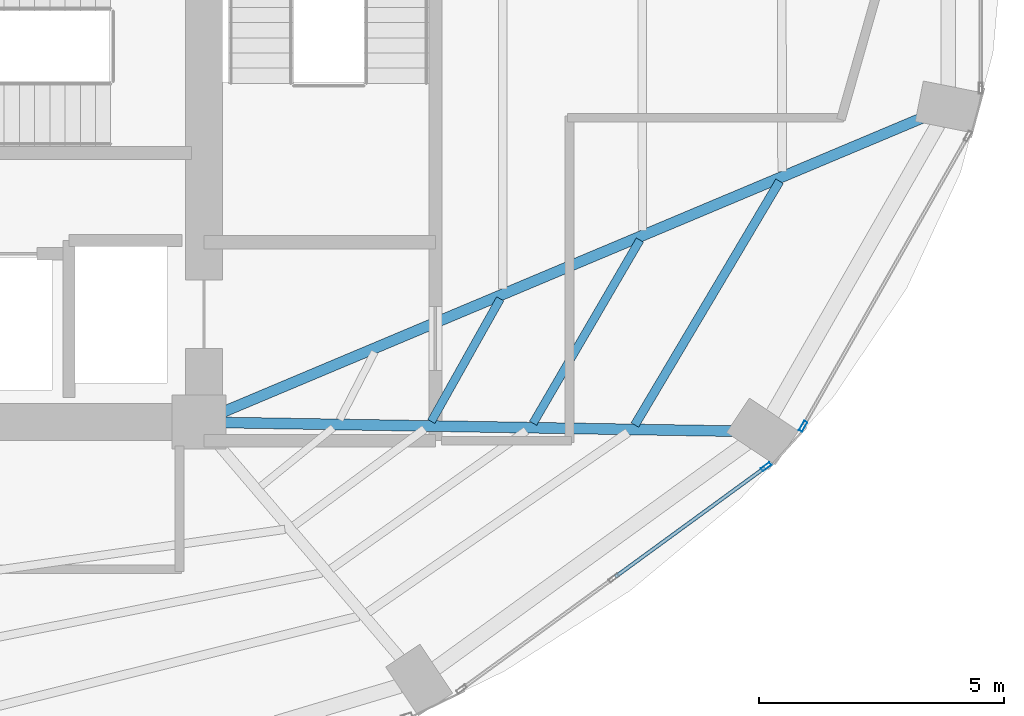
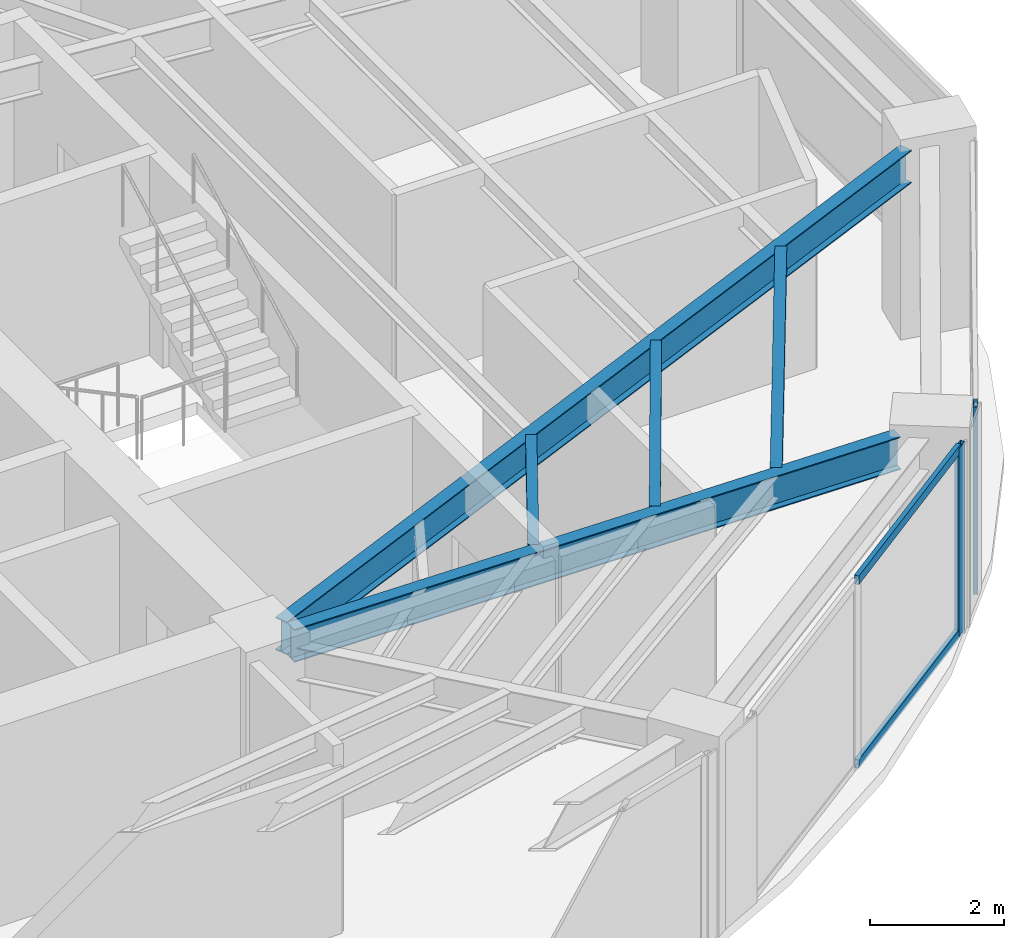
# One storey, part 11 of 23: 5 beams, 4 members, 2 elements without a shape of their own.
"""IFC4 building model written with IfcOpenShell, lengths in metres."""

from ifc_helpers import new_model, si_unit, direction, frame, origin, origin_2d, place, context, subcontext, project, spatial, hollow_rectangle, i_section, extrude, material, layer, layer_set, material_profile, profile_set, type_object, element, aggregate, save


model = new_model("IFC4")

# Units and contexts
model_context = context("Model", 3, precision=1e-05, world=origin(), true_north=direction((0.0, 1.0)))
body_context = subcontext(model_context, "Body", "Model", "MODEL_VIEW")
ifc_project = project(units=[si_unit("LENGTHUNIT", "METRE"), si_unit("AREAUNIT", "SQUARE_METRE"), si_unit("VOLUMEUNIT", "CUBIC_METRE"), si_unit("PLANEANGLEUNIT", "RADIAN"), si_unit("MASSUNIT", "GRAM", prefix="KILO")], contexts=[model_context])

# Site, building, storey
site_placement = place(None, origin())
site = spatial("IfcSite", under=ifc_project, at=site_placement, CompositionType="ELEMENT")
building_placement = place(site_placement, origin())
building = spatial("IfcBuilding", under=site, at=building_placement, Name="Lazwardi Medical Tower", CompositionType="ELEMENT")
storey_placement = place(building_placement, frame((0.0, 0.0, 121.8720703125)))
storey = spatial("IfcBuildingStorey", under=building, at=storey_placement, Name="L31", CompositionType="ELEMENT", Elevation=121.8720703125)

# Beams
ifc_material_1 = material(Name="Steel S355", Category="steel")
ifc_material_profile_1 = material_profile(ifc_material_1, i_section(OverallWidth=0.219970703125, OverallDepth=0.60009765625, WebThickness=0.011962890625, FlangeThickness=0.01904296875, at=origin_2d()), Name="IPE 600")
ifc_profile_set_1 = profile_set([ifc_material_profile_1], Name="Steel S355")
beam_type_1 = type_object("IfcBeamType", Name="BM-RG-W1", PredefinedType="BEAM", material=ifc_profile_set_1)
beam_1_placement = place(storey_placement, frame((56.497802734375, 20.215087890625, 3.1279296875), z_axis=(-0.99985616395, 0.016960289263, 0.0), x_axis=(-0.016960289263, -0.99985616395, 0.0)))
element("IfcBeam", 1, at=beam_1_placement, inside=storey, type_object=beam_type_1, Name="Radial girder RG-02 R03 L31", PredefinedType="BEAM", context=body_context, shape_type="SweptSolid", body=[
    extrude(i_section(OverallWidth=0.219970703125, OverallDepth=0.60009765625, WebThickness=0.011962890625, FlangeThickness=0.01904296875, at=origin_2d()), origin(), (0.0, 0.0, 1.0), 10.3642578125),
])
beam_2_placement = place(storey_placement, frame((60.328369140625, 26.59521484375, 3.1279296875), z_axis=(-0.921775176005, -0.38772480563, 0.0), x_axis=(0.38772480563, -0.921775176005, 0.0)))
element("IfcBeam", 2, at=beam_2_placement, inside=storey, type_object=beam_type_1, Name="Radial girder RG-02 R04 L31", PredefinedType="BEAM", context=body_context, shape_type="SweptSolid", body=[
    extrude(i_section(OverallWidth=0.219970703125, OverallDepth=0.60009765625, WebThickness=0.011962890625, FlangeThickness=0.01904296875, at=origin_2d()), origin(), (0.0, 0.0, 1.0), 15.443359375),
])
ifc_material_profile_2 = material_profile(ifc_material_1, i_section(OverallWidth=0.179931640625, OverallDepth=0.39990234375, WebThickness=0.008544921875, FlangeThickness=0.013427734375, at=origin_2d()), Name="IPE 400")
ifc_profile_set_2 = profile_set([ifc_material_profile_2], Name="Steel S355")
beam_type_2 = type_object("IfcBeamType", Name="BM-SJ-01", PredefinedType="JOIST", material=ifc_profile_set_2)
beam_3_placement = place(storey_placement, frame((54.47900390625, 20.340576171875, 3.22802734375), z_axis=(0.510499691073, 0.859877936346, 0.0), x_axis=(-0.859877936346, 0.510499691073, 0.0)))
element("IfcBeam", 3, at=beam_3_placement, inside=storey, type_object=beam_type_2, Name="Secondary joist SJ-01 R1 B03 L31", PredefinedType="JOIST", context=body_context, shape_type="SweptSolid", body=[
    extrude(i_section(OverallWidth=0.179931640625, OverallDepth=0.39990234375, WebThickness=0.008544921875, FlangeThickness=0.013427734375, at=origin_2d()), origin(), (0.0, 0.0, 1.0), 5.776123046875),
])
ifc_material_profile_3 = material_profile(ifc_material_1, i_section(OverallWidth=0.169921875, OverallDepth=0.360107421875, WebThickness=0.008056640625, FlangeThickness=0.0126953125, at=origin_2d()), Name="IPE 360")
ifc_profile_set_3 = profile_set([ifc_material_profile_3], Name="Steel S355")
beam_type_3 = type_object("IfcBeamType", Name="BM-SJ-02", PredefinedType="JOIST", material=ifc_profile_set_3)
beam_4_placement = place(storey_placement, frame((52.405517578125, 20.376220703125, 3.248046875), z_axis=(0.503544274258, 0.86396942299, 0.0), x_axis=(-0.86396942299, 0.503544274258, 0.0)))
element("IfcBeam", 4, at=beam_4_placement, inside=storey, type_object=beam_type_3, Name="Secondary joist SJ-02 R2 B03 L31", PredefinedType="JOIST", context=body_context, shape_type="SweptSolid", body=[
    extrude(i_section(OverallWidth=0.169921875, OverallDepth=0.360107421875, WebThickness=0.008056640625, FlangeThickness=0.0126953125, at=origin_2d()), origin(), (0.0, 0.0, 1.0), 4.321044921875),
])
beam_5_placement = place(storey_placement, frame((50.33154296875, 20.412109375, 3.248046875), z_axis=(0.489860824278, 0.871800649711, 0.0), x_axis=(-0.871800649711, 0.489860824278, 0.0)))
element("IfcBeam", 5, at=beam_5_placement, inside=storey, type_object=beam_type_3, Name="Secondary joist SJ-02 R3 B03 L31", PredefinedType="JOIST", context=body_context, shape_type="SweptSolid", body=[
    extrude(i_section(OverallWidth=0.169921875, OverallDepth=0.360107421875, WebThickness=0.008056640625, FlangeThickness=0.0126953125, at=origin_2d()), origin(), (0.0, 0.0, 1.0), 2.8662109375),
])

# Curtain wall, member
ifc_material_2 = material(Name="Anodised bronze aluminium and solar control glazing", Category="aluminium")
ifc_layer = layer(ifc_material_2, 0.195068359375)
ifc_layer_set = layer_set([ifc_layer], Name="Anodised bronze aluminium and solar control glazing")
curtain_wall_type = type_object("IfcCurtainWallType", Name="CW-SYS-03", PredefinedType="NOTDEFINED", material=ifc_layer_set)
curtain_wall_1_placement = place(storey_placement, origin())
curtain_wall_1 = element("IfcCurtainWall", 6, at=curtain_wall_1_placement, inside=storey, type_object=curtain_wall_type, Name="L31 Unitised bronze curtain wall CW-03", PredefinedType="NOTDEFINED")
ifc_material_3 = material(Name="Anodised bronze aluminium", Category="aluminium")
ifc_material_profile_4 = material_profile(ifc_material_3, hollow_rectangle(XDim=0.074951171875, YDim=0.219970703125, WallThickness=0.00390625, at=origin_2d()), Name="ALU-MULLION 220x75x4")
ifc_profile_set_4 = profile_set([ifc_material_profile_4], Name="Anodised bronze aluminium")
member_type_1 = type_object("IfcMemberType", Name="CW-MUL-01", PredefinedType="MULLION", material=ifc_profile_set_4)
member_1_placement = place(storey_placement, frame((57.155029296875, 19.4912109375, 0.0), z_axis=(0.0, 0.0, 1.0), x_axis=(-0.589530882802, 0.807745837639, 0.0)))
member_1 = element("IfcMember", 7, at=member_1_placement, type_object=member_type_1, Name="CW-03 mullion 3", PredefinedType="MULLION", context=body_context, shape_type="SweptSolid", body=[
    extrude(hollow_rectangle(XDim=0.074951171875, YDim=0.219970703125, WallThickness=0.00390625, at=origin_2d()), origin(), (0.0, 0.0, 1.0), 3.427978515625),
])

curtain_wall_2_placement = place(storey_placement, origin())
curtain_wall_2 = element("IfcCurtainWall", 8, at=curtain_wall_2_placement, inside=storey, type_object=curtain_wall_type, Name="L31 Unitised bronze curtain wall CW-03", PredefinedType="NOTDEFINED")
member_2_placement = place(storey_placement, frame((57.9072265625, 20.314208984375, 0.0), z_axis=(0.0, 0.0, 1.0), x_axis=(-0.869687265712, 0.493603140041, 0.0)))
member_2 = element("IfcMember", 9, at=member_2_placement, type_object=member_type_1, Name="CW-03 mullion 1", PredefinedType="MULLION", context=body_context, shape_type="SweptSolid", body=[
    extrude(hollow_rectangle(XDim=0.074951171875, YDim=0.219970703125, WallThickness=0.00390625, at=origin_2d()), origin(), (0.0, 0.0, 1.0), 3.427978515625),
])
aggregate(curtain_wall_2, [member_2])

# Member
ifc_material_profile_5 = material_profile(ifc_material_3, hollow_rectangle(XDim=0.074951171875, YDim=0.159912109375, WallThickness=0.00390625, at=origin_2d()), Name="ALU-TRANSOM 160x75x4")
ifc_profile_set_5 = profile_set([ifc_material_profile_5], Name="Anodised bronze aluminium")
member_type_2 = type_object("IfcMemberType", Name="CW-TRN-01", PredefinedType="USERDEFINED", material=ifc_profile_set_5)
member_3_placement = place(storey_placement, frame((54.081298828125, 17.247802734375, 0.037353515625), z_axis=(0.807731734271, 0.589550206049, 0.0), x_axis=(-0.589550206049, 0.807731734271, 0.0)))
member_3 = element("IfcMember", 10, at=member_3_placement, type_object=member_type_2, Name="CW-03 transom 2.1", ObjectType="TRANSOM", PredefinedType="USERDEFINED", context=body_context, shape_type="SweptSolid", body=[
    extrude(hollow_rectangle(XDim=0.074951171875, YDim=0.159912109375, WallThickness=0.00390625, at=origin_2d()), origin(), (0.0, 0.0, 1.0), 3.767578125),
])

member_4_placement = place(storey_placement, frame((54.081298828125, 17.247802734375, 3.390380859375), z_axis=(0.807731734271, 0.589550206049, 0.0), x_axis=(-0.589550206049, 0.807731734271, 0.0)))
member_4 = element("IfcMember", 11, at=member_4_placement, type_object=member_type_2, Name="CW-03 transom 2.2", ObjectType="TRANSOM", PredefinedType="USERDEFINED", context=body_context, shape_type="SweptSolid", body=[
    extrude(hollow_rectangle(XDim=0.074951171875, YDim=0.159912109375, WallThickness=0.00390625, at=origin_2d()), origin(), (0.0, 0.0, 1.0), 3.767578125),
])

aggregate(curtain_wall_1, [member_1, member_3, member_4])

save(model, "model.ifc")
